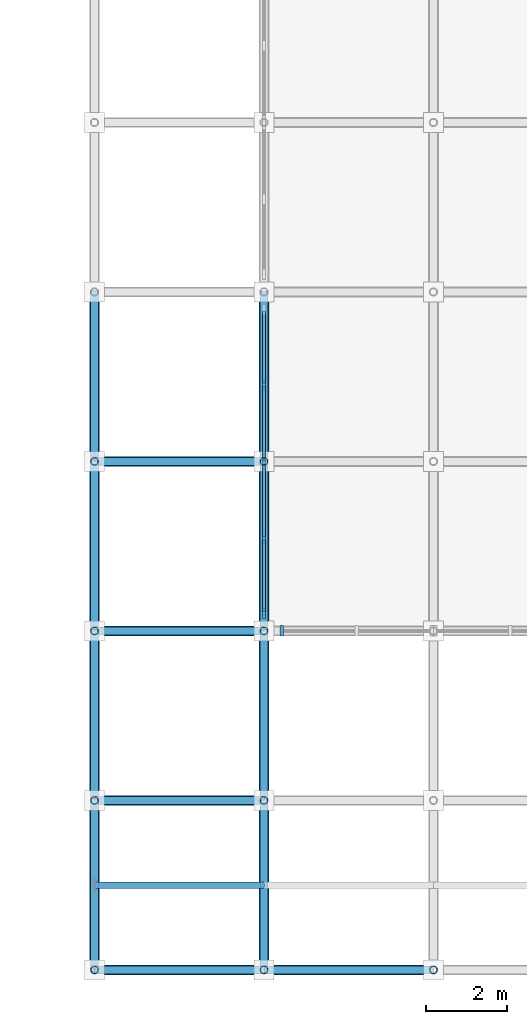
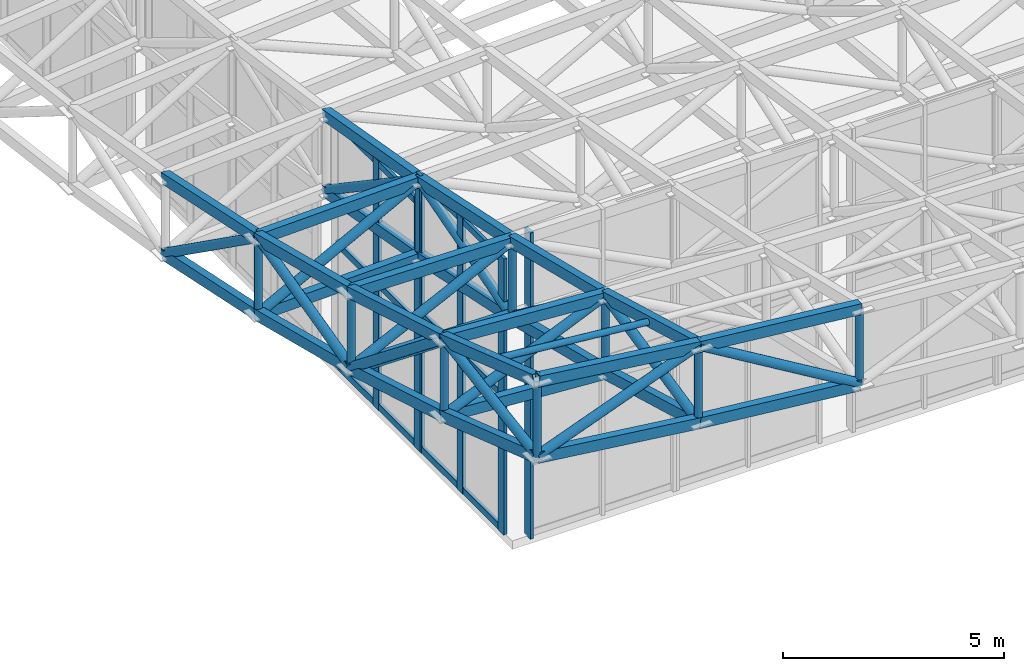
# One storey, part 26 of 123: 67 members, 3 elements without a shape of their own.
"""IFC4 building model written with IfcOpenShell, lengths in metres."""

import ifcopenshell
import ifcopenshell.guid

model = None  # the IFC model being written
_history = None  # IfcOwnerHistory: only IFC2X3 demands one
_inside = {}  # id of a spatial element -> (the spatial element, [elements in it])
_under = {}  # id of a project, library or spatial element -> (it, [spatial elements below it])
_declared = {}  # id of a project -> (the project, [libraries it declares])
_typed = {}  # id of a type object -> (the type object, [elements of that type])
_made_of = {}  # id of a material, layer set ... -> (it, [elements and type objects made of it])


def new_model(schema):
    """Start an empty IFC model of exactly this schema.

    Asked for "IFC4X3", IfcOpenShell would pick the latest addendum, in which some entities
    have other attributes; the version numbers below select the first issue.
    IFC2X3 requires an IfcOwnerHistory on every rooted entity: one is made here for all.
    """
    global model, _history
    if schema == "IFC4X3":
        model = ifcopenshell.file(schema_version=(4, 3, 0, 0))
    else:
        model = ifcopenshell.file(schema=schema)
    _inside.clear()
    _under.clear()
    _declared.clear()
    _typed.clear()
    _made_of.clear()
    _history = None
    if model.schema == "IFC2X3":
        org = make("IfcOrganization", Name="unknown")
        user = make(
            "IfcPersonAndOrganization",
            ThePerson=make("IfcPerson", FamilyName="unknown"),
            TheOrganization=org,
        )
        app = make(
            "IfcApplication",
            ApplicationDeveloper=org,
            Version="unknown",
            ApplicationFullName="unknown",
            ApplicationIdentifier="unknown",
        )
        _history = make(
            "IfcOwnerHistory",
            OwningUser=user,
            OwningApplication=app,
            ChangeAction="ADDED",
            CreationDate=0,
        )
    return model


def make(cls, **values):
    """One entity of the class cls with the attributes given. An attribute that is None is left unset."""
    return model.create_entity(
        cls, **{name: value for name, value in values.items() if value is not None}
    )


def rooted(cls, **values):
    """An entity with a GlobalId (a new one), such as an element, a storey or a relation."""
    return make(cls, GlobalId=ifcopenshell.guid.new(), OwnerHistory=_history, **values)


def si_unit(unit_type, name, prefix=None):
    """IfcSIUnit, for example si_unit("LENGTHUNIT", "METRE", prefix="MILLI")."""
    return make("IfcSIUnit", UnitType=unit_type, Prefix=prefix, Name=name)


def assignment(units):
    """IfcUnitAssignment: the units of a project."""
    return None if units is None else make("IfcUnitAssignment", Units=units)


def point(xyz):
    """IfcCartesianPoint."""
    return None if xyz is None else make("IfcCartesianPoint", Coordinates=xyz)


def direction(xyz):
    """IfcDirection."""
    return None if xyz is None else make("IfcDirection", DirectionRatios=xyz)


def frame(location, z_axis=None, x_axis=None):
    """IfcAxis2Placement3D, a coordinate frame: its origin and axes. An axis left out is left unset."""
    return make(
        "IfcAxis2Placement3D",
        Location=point(location),
        Axis=direction(z_axis),
        RefDirection=direction(x_axis),
    )


def frame_2d(location, x_axis=None):
    """IfcAxis2Placement2D, a coordinate frame in the plane: its origin and x axis."""
    return make(
        "IfcAxis2Placement2D", Location=point(location), RefDirection=direction(x_axis)
    )


def origin():
    """The frame at (0, 0, 0) with its axes left unset."""
    return frame((0.0, 0.0, 0.0))


def origin_2d():
    """The frame at (0, 0) in the plane with its x axis left unset."""
    return frame_2d((0.0, 0.0))


def place(relative_to, where):
    """IfcLocalPlacement: puts the frame where relative to a parent placement (None: the world)."""
    return make(
        "IfcLocalPlacement", PlacementRelTo=relative_to, RelativePlacement=where
    )


def context(
    kind, dimensions, precision=None, world=None, true_north=None, identifier=None
):
    """IfcGeometricRepresentationContext, for example the 3D "Model" context."""
    return make(
        "IfcGeometricRepresentationContext",
        ContextIdentifier=identifier,
        ContextType=kind,
        CoordinateSpaceDimension=dimensions,
        Precision=precision,
        WorldCoordinateSystem=world,
        TrueNorth=true_north,
    )


def subcontext(parent, identifier, kind, view, scale=None):
    """IfcGeometricRepresentationSubContext, for example "Body" below "Model"."""
    return make(
        "IfcGeometricRepresentationSubContext",
        ContextIdentifier=identifier,
        ContextType=kind,
        ParentContext=parent,
        TargetScale=scale,
        TargetView=view,
    )


def project(units=None, contexts=None):
    """IfcProject with its units and contexts."""
    return rooted(
        "IfcProject",
        Name="project",
        RepresentationContexts=contexts,
        UnitsInContext=assignment(units),
    )


def spatial(cls, under=None, at=None, **own):
    """A site, building, storey or space (cls), placed at a placement, below another one or the project."""
    s = rooted(cls, ObjectPlacement=at, **own)
    if under is not None:
        _under.setdefault(under.id(), (under, []))[1].append(s)
    return s


def profile(cls, at=None, kind="AREA", **sizes):
    """A parametric profile (cls). Its sizes go by their IFC names, for example OverallWidth=200.0."""
    return make(cls, ProfileType=kind, Position=at, **sizes)


def rectangle(**sizes):
    """IfcRectangleProfileDef."""
    return profile("IfcRectangleProfileDef", **sizes)


def hollow_rectangle(**sizes):
    """IfcRectangleHollowProfileDef."""
    return profile("IfcRectangleHollowProfileDef", **sizes)


def hollow_circle(**sizes):
    """IfcCircleHollowProfileDef."""
    return profile("IfcCircleHollowProfileDef", **sizes)


def extrude(swept, where, along, depth):
    """IfcExtrudedAreaSolid: the profile swept, set in the frame where, extruded along a direction by depth."""
    return make(
        "IfcExtrudedAreaSolid",
        SweptArea=swept,
        Position=where,
        ExtrudedDirection=direction(along),
        Depth=depth,
    )


def shape(context_of_items, identifier, shape_type, items):
    """IfcShapeRepresentation: the items that make up one representation, for example the "Body"."""
    return make(
        "IfcShapeRepresentation",
        ContextOfItems=context_of_items,
        RepresentationIdentifier=identifier,
        RepresentationType=shape_type,
        Items=items,
    )


def material(Name=None, Category=None):
    """IfcMaterial."""
    return make("IfcMaterial", Name=Name, Category=Category)


def material_profile(
    of_material, cross_section, Name=None, Category=None, Priority=None
):
    """IfcMaterialProfile: a cross section and its material."""
    return make(
        "IfcMaterialProfile",
        Name=Name,
        Material=of_material,
        Profile=cross_section,
        Priority=Priority,
        Category=Category,
    )


def profile_set(profiles, Name=None, composite=None):
    """IfcMaterialProfileSet."""
    return make(
        "IfcMaterialProfileSet",
        Name=Name,
        MaterialProfiles=profiles,
        CompositeProfile=composite,
    )


def made_of(thing, what):
    """Note that an element or type object is made of a material, layer set ...; save() writes the relation."""
    if what is not None:
        _made_of.setdefault(what.id(), (what, []))[1].append(thing)
    return thing


def type_object(cls, material=None, **own):
    """A type object (cls), such as IfcWallType, which elements share."""
    return made_of(rooted(cls, **own), material)


def element(
    cls,
    number,
    at=None,
    inside=None,
    cuts=None,
    type_object=None,
    material=None,
    context=None,
    identifier="Body",
    shape_type=None,
    held_by="IfcProductDefinitionShape",
    body=None,
    shapes=None,
    **own,
):
    """One element of the class cls, such as IfcWall. Its Tag is "e" and its number.

    at: its placement. inside: the storey or other place that contains it. cuts: it is an
    opening in that element (IfcRelVoidsElement). A single representation is given by context,
    identifier, shape_type and body (its items); several are given by shapes. held_by: the class
    of the entity that holds the representations. save() writes the other relations.
    """
    e = rooted(cls, Tag="e%d" % number, ObjectPlacement=at, **own)
    if body is not None:
        shapes = [shape(context, identifier, shape_type, body)]
    if shapes is not None:
        e.Representation = make(held_by, Representations=shapes)
    if inside is not None:
        _inside.setdefault(inside.id(), (inside, []))[1].append(e)
    if cuts is not None:
        rooted(
            "IfcRelVoidsElement", RelatingBuildingElement=cuts, RelatedOpeningElement=e
        )
    if type_object is not None:
        _typed.setdefault(type_object.id(), (type_object, []))[1].append(e)
    return made_of(e, material)


def aggregate(whole, parts):
    """IfcRelAggregates: a whole, such as a stair, and the parts it consists of."""
    return rooted("IfcRelAggregates", RelatingObject=whole, RelatedObjects=parts)


def save(model, path):
    """Write the relations noted so far, then the file.

    IfcRelAggregates (storeys below a building ...), IfcRelContainedInSpatialStructure (elements
    in a storey), IfcRelDefinesByType, IfcRelAssociatesMaterial and IfcRelDeclares: one each for
    every whole, place, type object, material and project.
    """
    for whole, parts in _under.values():
        aggregate(whole, parts)
    for where, things in _inside.values():
        rooted(
            "IfcRelContainedInSpatialStructure",
            RelatedElements=things,
            RelatingStructure=where,
        )
    for kind, things in _typed.values():
        rooted("IfcRelDefinesByType", RelatedObjects=things, RelatingType=kind)
    for what, things in _made_of.values():
        rooted("IfcRelAssociatesMaterial", RelatedObjects=things, RelatingMaterial=what)
    for by, libraries in _declared.values():
        rooted("IfcRelDeclares", RelatingContext=by, RelatedDefinitions=libraries)
    model.write(path)


model = new_model("IFC4")

# Units and contexts
model_context = context("Model", 3, precision=1e-05, world=origin(), true_north=direction((0.0, 1.0)))
body_context = subcontext(model_context, "Body", "Model", "MODEL_VIEW")
ifc_project = project(units=[si_unit("LENGTHUNIT", "METRE"), si_unit("AREAUNIT", "SQUARE_METRE"), si_unit("VOLUMEUNIT", "CUBIC_METRE"), si_unit("PLANEANGLEUNIT", "RADIAN"), si_unit("MASSUNIT", "GRAM", prefix="KILO")], contexts=[model_context])

# Site, building, storey
site_placement = place(None, origin())
site = spatial("IfcSite", under=ifc_project, at=site_placement, CompositionType="ELEMENT")
building_placement = place(site_placement, origin())
building = spatial("IfcBuilding", under=site, at=building_placement, Name="Cumbredor Promenade Congress Hotel", CompositionType="ELEMENT")
storey_placement = place(building_placement, frame((0.0, 0.0, 11.760009765625)))
storey = spatial("IfcBuildingStorey", under=building, at=storey_placement, Name="L03", CompositionType="ELEMENT", Elevation=11.760009765625)

# Members
ifc_material_1 = material(Name="Steel ASTM A500 Grade C", Category="steel")
ifc_material_profile_1 = material_profile(ifc_material_1, hollow_rectangle(XDim=0.199951171875, YDim=0.300048828125, WallThickness=0.012451171875, at=origin_2d()), Name="HSS 300x200x12.5")
ifc_profile_set_1 = profile_set([ifc_material_profile_1], Name="Steel ASTM A500 Grade C")
member_type_1 = type_object("IfcMemberType", Name="Ballroom Roof Space Frame Chord", PredefinedType="CHORD", material=ifc_profile_set_1)
for number, where, z_axis, x_axis, name in (
    (1, (138.60009765625, 0.0, 11.017578125), (0.992527036972, 0.0, -0.122024919095), (0.0, 1.0, 0.0), "Grand Ballroom Pavilion X Top Chord 1.1"),
    (2, (138.60009765625, 0.0, 8.91748046875), (0.992527036972, 0.0, -0.122024919095), (0.0, 1.0, 0.0), "Grand Ballroom Pavilion X Bottom Chord 1.1"),
):
    element("IfcMember", number, at=place(storey_placement, frame(where, z_axis=z_axis, x_axis=x_axis)), inside=storey, type_object=member_type_1, Name=name, PredefinedType="CHORD", context=body_context, shape_type="SweptSolid", body=[
        extrude(hollow_rectangle(XDim=0.199951171875, YDim=0.300048828125, WallThickness=0.012451171875, at=origin_2d()), origin(), (0.0, 0.0, 1.0), 4.231689453125),
    ])
for number, where, z_axis, x_axis, name in (
    (3, (142.800048828125, 0.0, 10.501220703125), (0.994998748006, 0.0, -0.099887393932), (0.0, 1.0, 0.0), "Grand Ballroom Pavilion X Top Chord 2.1"),
    (4, (142.800048828125, 0.0, 8.401123046875), (0.995004494852, 0.0, -0.099830131844), (0.0, 1.0, 0.0), "Grand Ballroom Pavilion X Bottom Chord 2.1"),
):
    element("IfcMember", number, at=place(storey_placement, frame(where, z_axis=z_axis, x_axis=x_axis)), inside=storey, type_object=member_type_1, Name=name, PredefinedType="CHORD", context=body_context, shape_type="SweptSolid", body=[
        extrude(hollow_rectangle(XDim=0.199951171875, YDim=0.300048828125, WallThickness=0.012451171875, at=origin_2d()), origin(), (0.0, 0.0, 1.0), 4.220947265625),
    ])
for number, where, z_axis, x_axis, name in (
    (5, (138.60009765625, 4.199951171875, 9.600341796875), (0.997849616578, 0.0, -0.065544966967), (0.0, 1.0, 0.0), "Grand Ballroom Pavilion X Top Chord 1.2"),
    (6, (138.60009765625, 4.199951171875, 7.500244140625), (0.997853408642, 0.0, -0.065487211437), (0.0, 1.0, 0.0), "Grand Ballroom Pavilion X Bottom Chord 1.2"),
):
    element("IfcMember", number, at=place(storey_placement, frame(where, z_axis=z_axis, x_axis=x_axis)), inside=storey, type_object=member_type_1, Name=name, PredefinedType="CHORD", context=body_context, shape_type="SweptSolid", body=[
        extrude(hollow_rectangle(XDim=0.199951171875, YDim=0.300048828125, WallThickness=0.012451171875, at=origin_2d()), origin(), (0.0, 0.0, 1.0), 4.208984375),
    ])
for number, where, z_axis, x_axis, name in (
    (7, (138.60009765625, 8.39990234375, 8.36376953125), (0.99988929444, 0.0, -0.014879477962), (0.0, 1.0, 0.0), "Grand Ballroom Pavilion X Top Chord 1.3"),
    (8, (138.60009765625, 8.39990234375, 6.263916015625), (0.999888428009, 0.0, -0.014937587979), (0.0, 1.0, 0.0), "Grand Ballroom Pavilion X Bottom Chord 1.3"),
):
    element("IfcMember", number, at=place(storey_placement, frame(where, z_axis=z_axis, x_axis=x_axis)), inside=storey, type_object=member_type_1, Name=name, PredefinedType="CHORD", context=body_context, shape_type="SweptSolid", body=[
        extrude(hollow_rectangle(XDim=0.199951171875, YDim=0.300048828125, WallThickness=0.012451171875, at=origin_2d()), origin(), (0.0, 0.0, 1.0), 4.200439453125),
    ])
for number, where, z_axis, x_axis, name in (
    (9, (138.60009765625, 12.60009765625, 7.3037109375), (0.999592939117, 0.0, 0.028529915312), (0.0, 1.0, 0.0), "Grand Ballroom Pavilion X Top Chord 1.4"),
    (10, (138.60009765625, 12.60009765625, 5.20361328125), (0.999592939117, 0.0, 0.028529915312), (0.0, 1.0, 0.0), "Grand Ballroom Pavilion X Bottom Chord 1.4"),
):
    element("IfcMember", number, at=place(storey_placement, frame(where, z_axis=z_axis, x_axis=x_axis)), inside=storey, type_object=member_type_1, Name=name, PredefinedType="CHORD", context=body_context, shape_type="SweptSolid", body=[
        extrude(hollow_rectangle(XDim=0.199951171875, YDim=0.300048828125, WallThickness=0.012451171875, at=origin_2d()), origin(), (0.0, 0.0, 1.0), 4.20166015625),
    ])
for number, where, z_axis, x_axis, name in (
    (11, (138.60009765625, 0.0, 11.017578125), (0.0, 0.947509174268, -0.319728579703), (-1.0, 0.0, 0.0), "Grand Ballroom Pavilion Y Top Chord 1.1"),
    (12, (138.60009765625, 0.0, 8.91748046875), (0.0, 0.947509174268, -0.319728579703), (-1.0, 0.0, 0.0), "Grand Ballroom Pavilion Y Bottom Chord 1.1"),
):
    element("IfcMember", number, at=place(storey_placement, frame(where, z_axis=z_axis, x_axis=x_axis)), inside=storey, type_object=member_type_1, Name=name, PredefinedType="CHORD", context=body_context, shape_type="SweptSolid", body=[
        extrude(hollow_rectangle(XDim=0.199951171875, YDim=0.300048828125, WallThickness=0.012451171875, at=origin_2d()), origin(), (0.0, 0.0, 1.0), 4.4326171875),
    ])
for number, where, z_axis, x_axis, name in (
    (13, (138.60009765625, 4.199951171875, 9.600341796875), (0.0, 0.959285548412, -0.282438022595), (-1.0, 0.0, 0.0), "Grand Ballroom Pavilion Y Top Chord 1.2"),
    (14, (138.60009765625, 4.199951171875, 7.500244140625), (0.0, 0.959300655549, -0.282386706952), (-1.0, 0.0, 0.0), "Grand Ballroom Pavilion Y Bottom Chord 1.2"),
):
    element("IfcMember", number, at=place(storey_placement, frame(where, z_axis=z_axis, x_axis=x_axis)), inside=storey, type_object=member_type_1, Name=name, PredefinedType="CHORD", context=body_context, shape_type="SweptSolid", body=[
        extrude(hollow_rectangle(XDim=0.199951171875, YDim=0.300048828125, WallThickness=0.012451171875, at=origin_2d()), origin(), (0.0, 0.0, 1.0), 4.378173828125),
    ])
member_1_placement = place(storey_placement, frame((138.60009765625, 8.39990234375, 8.36376953125), z_axis=(0.0, 0.969596366096, -0.244709801301), x_axis=(-1.0, 0.0, 0.0)))
element("IfcMember", 15, at=member_1_placement, inside=storey, type_object=member_type_1, Name="Grand Ballroom Pavilion Y Top Chord 1.3", PredefinedType="CHORD", context=body_context, shape_type="SweptSolid", body=[
    extrude(hollow_rectangle(XDim=0.199951171875, YDim=0.300048828125, WallThickness=0.012451171875, at=origin_2d()), origin(), (0.0, 0.0, 1.0), 4.331787109375),
])
member_2_placement = place(storey_placement, frame((138.60009765625, 8.39990234375, 6.263916015625), z_axis=(0.0, 0.969582992601, -0.244762784054), x_axis=(-1.0, 0.0, 0.0)))
element("IfcMember", 16, at=member_2_placement, inside=storey, type_object=member_type_1, Name="Grand Ballroom Pavilion Y Bottom Chord 1.3", PredefinedType="CHORD", context=body_context, shape_type="SweptSolid", body=[
    extrude(hollow_rectangle(XDim=0.199951171875, YDim=0.300048828125, WallThickness=0.012451171875, at=origin_2d()), origin(), (0.0, 0.0, 1.0), 4.33203125),
])
for number, where, z_axis, x_axis, name in (
    (17, (138.60009765625, 12.60009765625, 7.3037109375), (0.0, 0.978557630203, -0.205973212752), (-1.0, 0.0, 0.0), "Grand Ballroom Pavilion Y Top Chord 1.4"),
    (18, (138.60009765625, 12.60009765625, 5.20361328125), (0.0, 0.978569093962, -0.205918742088), (-1.0, 0.0, 0.0), "Grand Ballroom Pavilion Y Bottom Chord 1.4"),
):
    element("IfcMember", number, at=place(storey_placement, frame(where, z_axis=z_axis, x_axis=x_axis)), inside=storey, type_object=member_type_1, Name=name, PredefinedType="CHORD", context=body_context, shape_type="SweptSolid", body=[
        extrude(hollow_rectangle(XDim=0.199951171875, YDim=0.300048828125, WallThickness=0.012451171875, at=origin_2d()), origin(), (0.0, 0.0, 1.0), 4.2919921875),
    ])
for number, where, z_axis, x_axis, name in (
    (19, (142.800048828125, 0.0, 10.501220703125), (0.0, 0.962918080617, -0.269793939927), (-1.0, 0.0, 0.0), "Grand Ballroom Pavilion Y Top Chord 2.1"),
    (20, (142.800048828125, 0.0, 8.401123046875), (0.0, 0.962932620853, -0.269742039173), (-1.0, 0.0, 0.0), "Grand Ballroom Pavilion Y Bottom Chord 2.1"),
):
    element("IfcMember", number, at=place(storey_placement, frame(where, z_axis=z_axis, x_axis=x_axis)), inside=storey, type_object=member_type_1, Name=name, PredefinedType="CHORD", context=body_context, shape_type="SweptSolid", body=[
        extrude(hollow_rectangle(XDim=0.199951171875, YDim=0.300048828125, WallThickness=0.012451171875, at=origin_2d()), origin(), (0.0, 0.0, 1.0), 4.361572265625),
    ])
for number, where, z_axis, x_axis, name in (
    (21, (142.800048828125, 4.199951171875, 9.324462890625), (0.0, 0.971583409518, -0.236697440521), (-1.0, 0.0, 0.0), "Grand Ballroom Pavilion Y Top Chord 2.2"),
    (22, (142.800048828125, 4.199951171875, 7.224609375), (0.0, 0.971570420011, -0.236750752816), (-1.0, 0.0, 0.0), "Grand Ballroom Pavilion Y Bottom Chord 2.2"),
):
    element("IfcMember", number, at=place(storey_placement, frame(where, z_axis=z_axis, x_axis=x_axis)), inside=storey, type_object=member_type_1, Name=name, PredefinedType="CHORD", context=body_context, shape_type="SweptSolid", body=[
        extrude(hollow_rectangle(XDim=0.199951171875, YDim=0.300048828125, WallThickness=0.012451171875, at=origin_2d()), origin(), (0.0, 0.0, 1.0), 4.32275390625),
    ])
for number, where, z_axis, x_axis, name in (
    (23, (142.800048828125, 8.39990234375, 8.30126953125), (0.0, 0.978857169639, -0.204544961919), (-1.0, 0.0, 0.0), "Grand Ballroom Pavilion Y Top Chord 2.3"),
    (24, (142.800048828125, 8.39990234375, 6.201171875), (0.0, 0.978857169639, -0.204544961919), (-1.0, 0.0, 0.0), "Grand Ballroom Pavilion Y Bottom Chord 2.3"),
):
    element("IfcMember", number, at=place(storey_placement, frame(where, z_axis=z_axis, x_axis=x_axis)), inside=storey, type_object=member_type_1, Name=name, PredefinedType="CHORD", context=body_context, shape_type="SweptSolid", body=[
        extrude(hollow_rectangle(XDim=0.199951171875, YDim=0.300048828125, WallThickness=0.012451171875, at=origin_2d()), origin(), (0.0, 0.0, 1.0), 4.291015625),
    ])
for number, where, z_axis, x_axis, name in (
    (25, (142.800048828125, 12.60009765625, 7.423583984375), (0.0, 0.985161696288, -0.171628762645), (-1.0, 0.0, 0.0), "Grand Ballroom Pavilion Y Top Chord 2.4"),
    (26, (142.800048828125, 12.60009765625, 5.323486328125), (0.0, 0.985171377614, -0.171573181848), (-1.0, 0.0, 0.0), "Grand Ballroom Pavilion Y Bottom Chord 2.4"),
):
    element("IfcMember", number, at=place(storey_placement, frame(where, z_axis=z_axis, x_axis=x_axis)), inside=storey, type_object=member_type_1, Name=name, PredefinedType="CHORD", context=body_context, shape_type="SweptSolid", body=[
        extrude(hollow_rectangle(XDim=0.199951171875, YDim=0.300048828125, WallThickness=0.012451171875, at=origin_2d()), origin(), (0.0, 0.0, 1.0), 4.26318359375),
    ])

# Curtain wall, member
ifc_material_2 = material(Name="Thermally broken anodized aluminium and low-E glass", Category="aluminium")
curtain_wall_type = type_object("IfcCurtainWallType", Name="Stepped Pavilion Clerestory Curtain Wall CW-06", PredefinedType="NOTDEFINED", material=ifc_material_2)
curtain_wall_1_placement = place(storey_placement, origin())
curtain_wall_1 = element("IfcCurtainWall", 27, at=curtain_wall_1_placement, inside=storey, type_object=curtain_wall_type, Name="Grand Ballroom Pavilion S Glazed Clerestory 1", PredefinedType="NOTDEFINED")
ifc_material_3 = material(Name="Thermally broken anodized aluminium", Category="aluminium")
ifc_material_profile_2 = material_profile(ifc_material_3, rectangle(XDim=0.0849609375, YDim=0.260009765625, at=origin_2d()), Name="ALU MULLION CLERESTORY 85x260")
ifc_profile_set_2 = profile_set([ifc_material_profile_2], Name="Thermally broken anodized aluminium")
member_type_2 = type_object("IfcMemberType", Name="Curtain Wall Mullion ML-04", PredefinedType="MULLION", material=ifc_profile_set_2)
member_3_placement = place(storey_placement, frame((143.239990234375, 8.39990234375, -0.01806640625), z_axis=(0.0, 0.0, 1.0), x_axis=(1.0, 0.0, 0.0)))
member_3 = element("IfcMember", 28, at=member_3_placement, type_object=member_type_2, Name="Grand Ballroom Pavilion S Glazed Clerestory 1 Mullion 1", PredefinedType="MULLION", context=body_context, shape_type="SweptSolid", body=[
    extrude(rectangle(XDim=0.0849609375, YDim=0.260009765625, at=origin_2d()), origin(), (0.0, 0.0, 1.0), 8.447265625),
])
aggregate(curtain_wall_1, [member_3])

# Curtain wall, members
curtain_wall_2_placement = place(storey_placement, origin())
curtain_wall_2 = element("IfcCurtainWall", 29, at=curtain_wall_2_placement, inside=storey, type_object=curtain_wall_type, Name="Grand Ballroom Pavilion W Glazed Clerestory 1", PredefinedType="NOTDEFINED")
member_4_placement = place(storey_placement, frame((142.800048828125, 8.840087890625, -0.01806640625), z_axis=(0.0, 0.0, 1.0), x_axis=(1.0, 0.0, 0.0)))
member_4 = element("IfcMember", 30, at=member_4_placement, type_object=member_type_2, Name="Grand Ballroom Pavilion W Glazed Clerestory 1 Mullion 1", PredefinedType="MULLION", context=body_context, shape_type="SweptSolid", body=[
    extrude(rectangle(XDim=0.0849609375, YDim=0.260009765625, at=origin_2d()), origin(), (0.0, 0.0, 1.0), 7.61767578125),
])
member_5_placement = place(storey_placement, frame((142.800048828125, 10.699951171875, -0.01806640625), z_axis=(0.0, 0.0, 1.0), x_axis=(1.0, 0.0, 0.0)))
member_5 = element("IfcMember", 31, at=member_5_placement, type_object=member_type_2, Name="Grand Ballroom Pavilion W Glazed Clerestory 1 Mullion 2", PredefinedType="MULLION", context=body_context, shape_type="SweptSolid", body=[
    extrude(rectangle(XDim=0.0849609375, YDim=0.260009765625, at=origin_2d()), origin(), (0.0, 0.0, 1.0), 7.61767578125),
])
member_6_placement = place(storey_placement, frame((142.800048828125, 12.56005859375, -0.01806640625), z_axis=(0.0, 0.0, 1.0), x_axis=(1.0, 0.0, 0.0)))
member_6 = element("IfcMember", 32, at=member_6_placement, type_object=member_type_2, Name="Grand Ballroom Pavilion W Glazed Clerestory 1 Mullion 3", PredefinedType="MULLION", context=body_context, shape_type="SweptSolid", body=[
    extrude(rectangle(XDim=0.0849609375, YDim=0.260009765625, at=origin_2d()), origin(), (0.0, 0.0, 1.0), 7.61767578125),
])

curtain_wall_3_placement = place(storey_placement, origin())
curtain_wall_3 = element("IfcCurtainWall", 33, at=curtain_wall_3_placement, inside=storey, type_object=curtain_wall_type, Name="Grand Ballroom Pavilion W Glazed Clerestory 2", PredefinedType="NOTDEFINED")
member_7_placement = place(storey_placement, frame((142.800048828125, 12.639892578125, -0.01806640625), z_axis=(0.0, 0.0, 1.0), x_axis=(1.0, 0.0, 0.0)))
member_7 = element("IfcMember", 34, at=member_7_placement, type_object=member_type_2, Name="Grand Ballroom Pavilion W Glazed Clerestory 2 Mullion 1", PredefinedType="MULLION", context=body_context, shape_type="SweptSolid", body=[
    extrude(rectangle(XDim=0.0849609375, YDim=0.260009765625, at=origin_2d()), origin(), (0.0, 0.0, 1.0), 6.885986328125),
])
member_8_placement = place(storey_placement, frame((142.800048828125, 14.5, -0.01806640625), z_axis=(0.0, 0.0, 1.0), x_axis=(1.0, 0.0, 0.0)))
member_8 = element("IfcMember", 35, at=member_8_placement, type_object=member_type_2, Name="Grand Ballroom Pavilion W Glazed Clerestory 2 Mullion 2", PredefinedType="MULLION", context=body_context, shape_type="SweptSolid", body=[
    extrude(rectangle(XDim=0.0849609375, YDim=0.260009765625, at=origin_2d()), origin(), (0.0, 0.0, 1.0), 6.885986328125),
])

# Member
ifc_material_profile_3 = material_profile(ifc_material_3, rectangle(XDim=0.080078125, YDim=0.179931640625, at=origin_2d()), Name="ALU TRANSOM 80x180")
ifc_profile_set_3 = profile_set([ifc_material_profile_3], Name="Thermally broken anodized aluminium")
member_type_3 = type_object("IfcMemberType", Name="Curtain Wall Transom TR-03", PredefinedType="USERDEFINED", material=ifc_profile_set_3)
member_9_placement = place(storey_placement, frame((142.800048828125, 8.882568359375, 0.080078125), z_axis=(0.0, 1.0, 0.0), x_axis=(-1.0, 0.0, 0.0)))
member_9 = element("IfcMember", 36, at=member_9_placement, type_object=member_type_3, Name="Grand Ballroom Pavilion W Glazed Clerestory 1 Transom 1.1", ObjectType="TRANSOM", PredefinedType="USERDEFINED", context=body_context, shape_type="SweptSolid", body=[
    extrude(rectangle(XDim=0.080078125, YDim=0.179931640625, at=origin_2d()), origin(), (0.0, 0.0, 1.0), 1.77490234375),
])

member_10_placement = place(storey_placement, frame((142.800048828125, 8.882568359375, 3.7900390625), z_axis=(0.0, 1.0, 0.0), x_axis=(-1.0, 0.0, 0.0)))
member_10 = element("IfcMember", 37, at=member_10_placement, type_object=member_type_3, Name="Grand Ballroom Pavilion W Glazed Clerestory 1 Transom 1.2", ObjectType="TRANSOM", PredefinedType="USERDEFINED", context=body_context, shape_type="SweptSolid", body=[
    extrude(rectangle(XDim=0.080078125, YDim=0.179931640625, at=origin_2d()), origin(), (0.0, 0.0, 1.0), 1.77490234375),
])

member_11_placement = place(storey_placement, frame((142.800048828125, 8.882568359375, 7.5), z_axis=(0.0, 1.0, 0.0), x_axis=(-1.0, 0.0, 0.0)))
member_11 = element("IfcMember", 38, at=member_11_placement, type_object=member_type_3, Name="Grand Ballroom Pavilion W Glazed Clerestory 1 Transom 1.3", ObjectType="TRANSOM", PredefinedType="USERDEFINED", context=body_context, shape_type="SweptSolid", body=[
    extrude(rectangle(XDim=0.080078125, YDim=0.179931640625, at=origin_2d()), origin(), (0.0, 0.0, 1.0), 1.77490234375),
])

member_12_placement = place(storey_placement, frame((142.800048828125, 10.742431640625, 0.080078125), z_axis=(0.0, 1.0, 0.0), x_axis=(-1.0, 0.0, 0.0)))
member_12 = element("IfcMember", 39, at=member_12_placement, type_object=member_type_3, Name="Grand Ballroom Pavilion W Glazed Clerestory 1 Transom 2.1", ObjectType="TRANSOM", PredefinedType="USERDEFINED", context=body_context, shape_type="SweptSolid", body=[
    extrude(rectangle(XDim=0.080078125, YDim=0.179931640625, at=origin_2d()), origin(), (0.0, 0.0, 1.0), 1.775146484375),
])

member_13_placement = place(storey_placement, frame((142.800048828125, 10.742431640625, 3.7900390625), z_axis=(0.0, 1.0, 0.0), x_axis=(-1.0, 0.0, 0.0)))
member_13 = element("IfcMember", 40, at=member_13_placement, type_object=member_type_3, Name="Grand Ballroom Pavilion W Glazed Clerestory 1 Transom 2.2", ObjectType="TRANSOM", PredefinedType="USERDEFINED", context=body_context, shape_type="SweptSolid", body=[
    extrude(rectangle(XDim=0.080078125, YDim=0.179931640625, at=origin_2d()), origin(), (0.0, 0.0, 1.0), 1.775146484375),
])

member_14_placement = place(storey_placement, frame((142.800048828125, 10.742431640625, 7.5), z_axis=(0.0, 1.0, 0.0), x_axis=(-1.0, 0.0, 0.0)))
member_14 = element("IfcMember", 41, at=member_14_placement, type_object=member_type_3, Name="Grand Ballroom Pavilion W Glazed Clerestory 1 Transom 2.3", ObjectType="TRANSOM", PredefinedType="USERDEFINED", context=body_context, shape_type="SweptSolid", body=[
    extrude(rectangle(XDim=0.080078125, YDim=0.179931640625, at=origin_2d()), origin(), (0.0, 0.0, 1.0), 1.775146484375),
])

aggregate(curtain_wall_2, [member_4, member_5, member_6, member_9, member_10, member_11, member_12, member_13, member_14])

member_15_placement = place(storey_placement, frame((142.800048828125, 12.6826171875, 0.080078125), z_axis=(0.0, 1.0, 0.0), x_axis=(-1.0, 0.0, 0.0)))
member_15 = element("IfcMember", 42, at=member_15_placement, type_object=member_type_3, Name="Grand Ballroom Pavilion W Glazed Clerestory 2 Transom 1.1", ObjectType="TRANSOM", PredefinedType="USERDEFINED", context=body_context, shape_type="SweptSolid", body=[
    extrude(rectangle(XDim=0.080078125, YDim=0.179931640625, at=origin_2d()), origin(), (0.0, 0.0, 1.0), 1.77490234375),
])

member_16_placement = place(storey_placement, frame((142.800048828125, 12.6826171875, 3.429931640625), z_axis=(0.0, 1.0, 0.0), x_axis=(-1.0, 0.0, 0.0)))
member_16 = element("IfcMember", 43, at=member_16_placement, type_object=member_type_3, Name="Grand Ballroom Pavilion W Glazed Clerestory 2 Transom 1.2", ObjectType="TRANSOM", PredefinedType="USERDEFINED", context=body_context, shape_type="SweptSolid", body=[
    extrude(rectangle(XDim=0.080078125, YDim=0.179931640625, at=origin_2d()), origin(), (0.0, 0.0, 1.0), 1.77490234375),
])

member_17_placement = place(storey_placement, frame((142.800048828125, 12.6826171875, 6.77001953125), z_axis=(0.0, 1.0, 0.0), x_axis=(-1.0, 0.0, 0.0)))
member_17 = element("IfcMember", 44, at=member_17_placement, type_object=member_type_3, Name="Grand Ballroom Pavilion W Glazed Clerestory 2 Transom 1.3", ObjectType="TRANSOM", PredefinedType="USERDEFINED", context=body_context, shape_type="SweptSolid", body=[
    extrude(rectangle(XDim=0.080078125, YDim=0.179931640625, at=origin_2d()), origin(), (0.0, 0.0, 1.0), 1.77490234375),
])

member_18_placement = place(storey_placement, frame((142.800048828125, 14.54248046875, 0.080078125), z_axis=(0.0, 1.0, 0.0), x_axis=(-1.0, 0.0, 0.0)))
member_18 = element("IfcMember", 45, at=member_18_placement, type_object=member_type_3, Name="Grand Ballroom Pavilion W Glazed Clerestory 2 Transom 2.1", ObjectType="TRANSOM", PredefinedType="USERDEFINED", context=body_context, shape_type="SweptSolid", body=[
    extrude(rectangle(XDim=0.080078125, YDim=0.179931640625, at=origin_2d()), origin(), (0.0, 0.0, 1.0), 1.77490234375),
])

member_19_placement = place(storey_placement, frame((142.800048828125, 14.54248046875, 3.429931640625), z_axis=(0.0, 1.0, 0.0), x_axis=(-1.0, 0.0, 0.0)))
member_19 = element("IfcMember", 46, at=member_19_placement, type_object=member_type_3, Name="Grand Ballroom Pavilion W Glazed Clerestory 2 Transom 2.2", ObjectType="TRANSOM", PredefinedType="USERDEFINED", context=body_context, shape_type="SweptSolid", body=[
    extrude(rectangle(XDim=0.080078125, YDim=0.179931640625, at=origin_2d()), origin(), (0.0, 0.0, 1.0), 1.77490234375),
])

member_20_placement = place(storey_placement, frame((142.800048828125, 14.54248046875, 6.77001953125), z_axis=(0.0, 1.0, 0.0), x_axis=(-1.0, 0.0, 0.0)))
member_20 = element("IfcMember", 47, at=member_20_placement, type_object=member_type_3, Name="Grand Ballroom Pavilion W Glazed Clerestory 2 Transom 2.3", ObjectType="TRANSOM", PredefinedType="USERDEFINED", context=body_context, shape_type="SweptSolid", body=[
    extrude(rectangle(XDim=0.080078125, YDim=0.179931640625, at=origin_2d()), origin(), (0.0, 0.0, 1.0), 1.77490234375),
])

aggregate(curtain_wall_3, [member_7, member_8, member_15, member_16, member_17, member_18, member_19, member_20])

# Members
ifc_material_profile_4 = material_profile(ifc_material_1, hollow_circle(Radius=0.084228515625, WallThickness=0.010009765625, at=origin_2d()), Name="CHS 168.3x10")
ifc_profile_set_4 = profile_set([ifc_material_profile_4], Name="Steel ASTM A500 Grade C")
member_type_4 = type_object("IfcMemberType", Name="Roof Purlin CHS168", PredefinedType="PURLIN", material=ifc_profile_set_4)
member_21_placement = place(storey_placement, frame((138.60009765625, 2.10009765625, 10.2890625), z_axis=(0.99557909429, 0.0, -0.093926923794), x_axis=(0.0, 1.0, 0.0)))
element("IfcMember", 48, at=member_21_placement, inside=storey, type_object=member_type_4, Name="Grand Ballroom Pavilion Roof Eave Purlin 1.1", PredefinedType="PURLIN", context=body_context, shape_type="SweptSolid", body=[
    extrude(hollow_circle(Radius=0.084228515625, WallThickness=0.010009765625, at=origin_2d()), origin(), (0.0, 0.0, 1.0), 4.218505859375),
])
ifc_material_profile_5 = material_profile(ifc_material_1, hollow_circle(Radius=0.122314453125, WallThickness=0.012451171875, at=origin_2d()), Name="CHS 244.5x12.5")
ifc_profile_set_5 = profile_set([ifc_material_profile_5], Name="Steel ASTM A500 Grade C")
member_type_5 = type_object("IfcMemberType", Name="Space Frame Web Diagonal D2", PredefinedType="BRACE", material=ifc_profile_set_5)
member_22_placement = place(storey_placement, frame((138.60009765625, 0.0, 8.91748046875), z_axis=(0.935686100602, 0.0, 0.352833560112), x_axis=(0.0, 1.0, 0.0)))
element("IfcMember", 49, at=member_22_placement, inside=storey, type_object=member_type_5, Name="Grand Ballroom Pavilion X Web Diagonal 1.1", PredefinedType="BRACE", context=body_context, shape_type="SweptSolid", body=[
    extrude(hollow_circle(Radius=0.122314453125, WallThickness=0.012451171875, at=origin_2d()), origin(), (0.0, 0.0, 1.0), 4.488525390625),
])
member_23_placement = place(storey_placement, frame((142.800048828125, 0.0, 10.501220703125), z_axis=(0.857356575064, 0.0, -0.514722938282), x_axis=(0.0, 1.0, 0.0)))
element("IfcMember", 50, at=member_23_placement, inside=storey, type_object=member_type_5, Name="Grand Ballroom Pavilion X Web Diagonal 2.1", PredefinedType="BRACE", context=body_context, shape_type="SweptSolid", body=[
    extrude(hollow_circle(Radius=0.122314453125, WallThickness=0.012451171875, at=origin_2d()), origin(), (0.0, 0.0, 1.0), 4.898681640625),
])
member_24_placement = place(storey_placement, frame((138.60009765625, 4.199951171875, 7.500244140625), z_axis=(0.917217484925, 0.0, 0.398386853884), x_axis=(0.0, 1.0, 0.0)))
element("IfcMember", 51, at=member_24_placement, inside=storey, type_object=member_type_5, Name="Grand Ballroom Pavilion X Web Diagonal 1.2", PredefinedType="BRACE", context=body_context, shape_type="SweptSolid", body=[
    extrude(hollow_circle(Radius=0.122314453125, WallThickness=0.012451171875, at=origin_2d()), origin(), (0.0, 0.0, 1.0), 4.5791015625),
])
member_25_placement = place(storey_placement, frame((138.60009765625, 8.39990234375, 6.263916015625), z_axis=(0.8997288535, 0.0, 0.436449298521), x_axis=(0.0, 1.0, 0.0)))
element("IfcMember", 52, at=member_25_placement, inside=storey, type_object=member_type_5, Name="Grand Ballroom Pavilion X Web Diagonal 1.3", PredefinedType="BRACE", context=body_context, shape_type="SweptSolid", body=[
    extrude(hollow_circle(Radius=0.122314453125, WallThickness=0.012451171875, at=origin_2d()), origin(), (0.0, 0.0, 1.0), 4.66796875),
])
member_26_placement = place(storey_placement, frame((138.60009765625, 12.60009765625, 5.20361328125), z_axis=(0.884095243613, 0.0, 0.467306751739), x_axis=(0.0, 1.0, 0.0)))
element("IfcMember", 53, at=member_26_placement, inside=storey, type_object=member_type_5, Name="Grand Ballroom Pavilion X Web Diagonal 1.4", PredefinedType="BRACE", context=body_context, shape_type="SweptSolid", body=[
    extrude(hollow_circle(Radius=0.122314453125, WallThickness=0.012451171875, at=origin_2d()), origin(), (0.0, 0.0, 1.0), 4.75048828125),
])
member_27_placement = place(storey_placement, frame((138.60009765625, 0.0, 8.91748046875), z_axis=(0.0, 0.987038991862, 0.160480617348), x_axis=(-1.0, 0.0, 0.0)))
element("IfcMember", 54, at=member_27_placement, inside=storey, type_object=member_type_5, Name="Grand Ballroom Pavilion Y Web Diagonal 1.1", PredefinedType="BRACE", context=body_context, shape_type="SweptSolid", body=[
    extrude(hollow_circle(Radius=0.122314453125, WallThickness=0.012451171875, at=origin_2d()), origin(), (0.0, 0.0, 1.0), 4.255126953125),
])
member_28_placement = place(storey_placement, frame((138.60009765625, 4.199951171875, 9.600341796875), z_axis=(0.0, 0.783004568649, -0.62201595275), x_axis=(-1.0, 0.0, 0.0)))
element("IfcMember", 55, at=member_28_placement, inside=storey, type_object=member_type_5, Name="Grand Ballroom Pavilion Y Web Diagonal 1.2", PredefinedType="BRACE", context=body_context, shape_type="SweptSolid", body=[
    extrude(hollow_circle(Radius=0.122314453125, WallThickness=0.012451171875, at=origin_2d()), origin(), (0.0, 0.0, 1.0), 5.36376953125),
])
member_29_placement = place(storey_placement, frame((138.60009765625, 8.39990234375, 6.263916015625), z_axis=(0.0, 0.970697526179, 0.240304624738), x_axis=(-1.0, 0.0, 0.0)))
element("IfcMember", 56, at=member_29_placement, inside=storey, type_object=member_type_5, Name="Grand Ballroom Pavilion Y Web Diagonal 1.3", PredefinedType="BRACE", context=body_context, shape_type="SweptSolid", body=[
    extrude(hollow_circle(Radius=0.122314453125, WallThickness=0.012451171875, at=origin_2d()), origin(), (0.0, 0.0, 1.0), 4.326904296875),
])
member_30_placement = place(storey_placement, frame((138.60009765625, 12.60009765625, 7.3037109375), z_axis=(0.0, 0.815206903407, -0.579169840925), x_axis=(-1.0, 0.0, 0.0)))
element("IfcMember", 57, at=member_30_placement, inside=storey, type_object=member_type_5, Name="Grand Ballroom Pavilion Y Web Diagonal 1.4", PredefinedType="BRACE", context=body_context, shape_type="SweptSolid", body=[
    extrude(hollow_circle(Radius=0.122314453125, WallThickness=0.012451171875, at=origin_2d()), origin(), (0.0, 0.0, 1.0), 5.152099609375),
])
member_31_placement = place(storey_placement, frame((142.800048828125, 0.0, 8.401123046875), z_axis=(0.0, 0.976676146189, 0.2147177344), x_axis=(-1.0, 0.0, 0.0)))
element("IfcMember", 58, at=member_31_placement, inside=storey, type_object=member_type_5, Name="Grand Ballroom Pavilion Y Web Diagonal 2.1", PredefinedType="BRACE", context=body_context, shape_type="SweptSolid", body=[
    extrude(hollow_circle(Radius=0.122314453125, WallThickness=0.012451171875, at=origin_2d()), origin(), (0.0, 0.0, 1.0), 4.30029296875),
])
member_32_placement = place(storey_placement, frame((142.800048828125, 4.199951171875, 9.324462890625), z_axis=(0.0, 0.802439432408, -0.596733573144), x_axis=(-1.0, 0.0, 0.0)))
element("IfcMember", 59, at=member_32_placement, inside=storey, type_object=member_type_5, Name="Grand Ballroom Pavilion Y Web Diagonal 2.2", PredefinedType="BRACE", context=body_context, shape_type="SweptSolid", body=[
    extrude(hollow_circle(Radius=0.122314453125, WallThickness=0.012451171875, at=origin_2d()), origin(), (0.0, 0.0, 1.0), 5.23388671875),
])
member_33_placement = place(storey_placement, frame((142.800048828125, 8.39990234375, 6.201171875), z_axis=(0.0, 0.960162358214, 0.279442741663), x_axis=(-1.0, 0.0, 0.0)))
element("IfcMember", 60, at=member_33_placement, inside=storey, type_object=member_type_5, Name="Grand Ballroom Pavilion Y Web Diagonal 2.3", PredefinedType="BRACE", context=body_context, shape_type="SweptSolid", body=[
    extrude(hollow_circle(Radius=0.122314453125, WallThickness=0.012451171875, at=origin_2d()), origin(), (0.0, 0.0, 1.0), 4.37451171875),
])
member_34_placement = place(storey_placement, frame((142.800048828125, 12.60009765625, 7.423583984375), z_axis=(0.0, 0.82916201135, -0.559008371077), x_axis=(-1.0, 0.0, 0.0)))
element("IfcMember", 61, at=member_34_placement, inside=storey, type_object=member_type_5, Name="Grand Ballroom Pavilion Y Web Diagonal 2.4", PredefinedType="BRACE", context=body_context, shape_type="SweptSolid", body=[
    extrude(hollow_circle(Radius=0.122314453125, WallThickness=0.012451171875, at=origin_2d()), origin(), (0.0, 0.0, 1.0), 5.065185546875),
])
ifc_material_profile_6 = material_profile(ifc_material_1, hollow_circle(Radius=0.096923828125, WallThickness=0.010009765625, at=origin_2d()), Name="CHS 193.7x10")
ifc_profile_set_6 = profile_set([ifc_material_profile_6], Name="Steel ASTM A500 Grade C")
member_type_6 = type_object("IfcMemberType", Name="Space Frame Web Post P1", PredefinedType="BRACE", material=ifc_profile_set_6)
for number, where, z_axis, x_axis, name in (
    (62, (138.60009765625, 0.0, 8.91748046875), (0.0, 0.0, 1.0), (1.0, 0.0, 0.0), "Grand Ballroom Pavilion Space Frame Web Post 1.1"),
    (63, (138.60009765625, 4.199951171875, 7.500244140625), (0.0, 0.0, 1.0), (1.0, 0.0, 0.0), "Grand Ballroom Pavilion Space Frame Web Post 1.2"),
):
    element("IfcMember", number, at=place(storey_placement, frame(where, z_axis=z_axis, x_axis=x_axis)), inside=storey, type_object=member_type_6, Name=name, PredefinedType="BRACE", context=body_context, shape_type="SweptSolid", body=[
        extrude(hollow_circle(Radius=0.096923828125, WallThickness=0.010009765625, at=origin_2d()), origin(), (0.0, 0.0, 1.0), 2.10009765625),
    ])
member_35_placement = place(storey_placement, frame((138.60009765625, 8.39990234375, 6.263916015625), z_axis=(0.0, 0.0, 1.0), x_axis=(1.0, 0.0, 0.0)))
element("IfcMember", 64, at=member_35_placement, inside=storey, type_object=member_type_6, Name="Grand Ballroom Pavilion Space Frame Web Post 1.3", PredefinedType="BRACE", context=body_context, shape_type="SweptSolid", body=[
    extrude(hollow_circle(Radius=0.096923828125, WallThickness=0.010009765625, at=origin_2d()), origin(), (0.0, 0.0, 1.0), 2.099853515625),
])
for number, where, z_axis, x_axis, name in (
    (65, (138.60009765625, 12.60009765625, 5.20361328125), (0.0, 0.0, 1.0), (1.0, 0.0, 0.0), "Grand Ballroom Pavilion Space Frame Web Post 1.4"),
    (66, (142.800048828125, 0.0, 8.401123046875), (0.0, 0.0, 1.0), (1.0, 0.0, 0.0), "Grand Ballroom Pavilion Space Frame Web Post 2.1"),
):
    element("IfcMember", number, at=place(storey_placement, frame(where, z_axis=z_axis, x_axis=x_axis)), inside=storey, type_object=member_type_6, Name=name, PredefinedType="BRACE", context=body_context, shape_type="SweptSolid", body=[
        extrude(hollow_circle(Radius=0.096923828125, WallThickness=0.010009765625, at=origin_2d()), origin(), (0.0, 0.0, 1.0), 2.10009765625),
    ])
member_36_placement = place(storey_placement, frame((142.800048828125, 4.199951171875, 7.224609375), z_axis=(0.0, 0.0, 1.0), x_axis=(1.0, 0.0, 0.0)))
element("IfcMember", 67, at=member_36_placement, inside=storey, type_object=member_type_6, Name="Grand Ballroom Pavilion Space Frame Web Post 2.2", PredefinedType="BRACE", context=body_context, shape_type="SweptSolid", body=[
    extrude(hollow_circle(Radius=0.096923828125, WallThickness=0.010009765625, at=origin_2d()), origin(), (0.0, 0.0, 1.0), 2.099853515625),
])
for number, where, z_axis, x_axis, name in (
    (68, (142.800048828125, 8.39990234375, 6.201171875), (0.0, 0.0, 1.0), (1.0, 0.0, 0.0), "Grand Ballroom Pavilion Space Frame Web Post 2.3"),
    (69, (142.800048828125, 12.60009765625, 5.323486328125), (0.0, 0.0, 1.0), (1.0, 0.0, 0.0), "Grand Ballroom Pavilion Space Frame Web Post 2.4"),
):
    element("IfcMember", number, at=place(storey_placement, frame(where, z_axis=z_axis, x_axis=x_axis)), inside=storey, type_object=member_type_6, Name=name, PredefinedType="BRACE", context=body_context, shape_type="SweptSolid", body=[
        extrude(hollow_circle(Radius=0.096923828125, WallThickness=0.010009765625, at=origin_2d()), origin(), (0.0, 0.0, 1.0), 2.10009765625),
    ])
member_37_placement = place(storey_placement, frame((147.0, 0.0, 7.979736328125), z_axis=(0.0, 0.0, 1.0), x_axis=(1.0, 0.0, 0.0)))
element("IfcMember", 70, at=member_37_placement, inside=storey, type_object=member_type_6, Name="Grand Ballroom Pavilion Space Frame Web Post 3.1", PredefinedType="BRACE", context=body_context, shape_type="SweptSolid", body=[
    extrude(hollow_circle(Radius=0.096923828125, WallThickness=0.010009765625, at=origin_2d()), origin(), (0.0, 0.0, 1.0), 2.099853515625),
])

save(model, "model.ifc")
